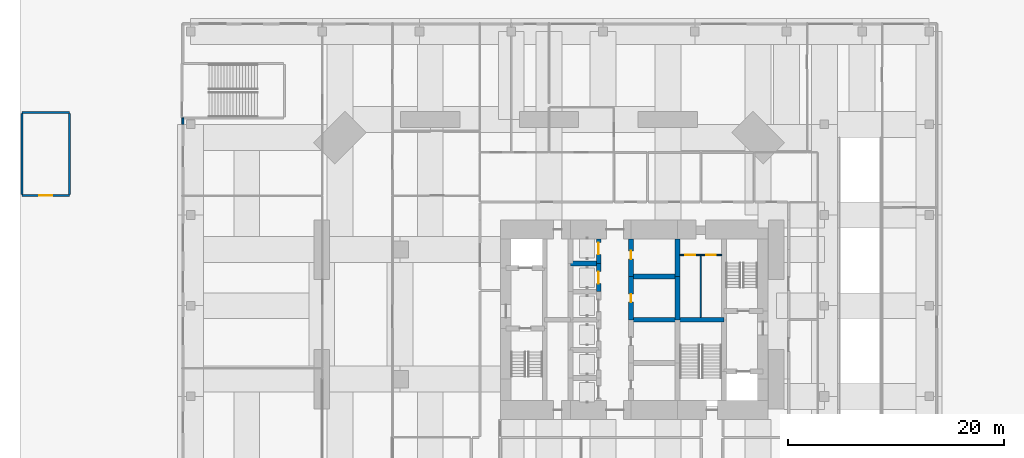
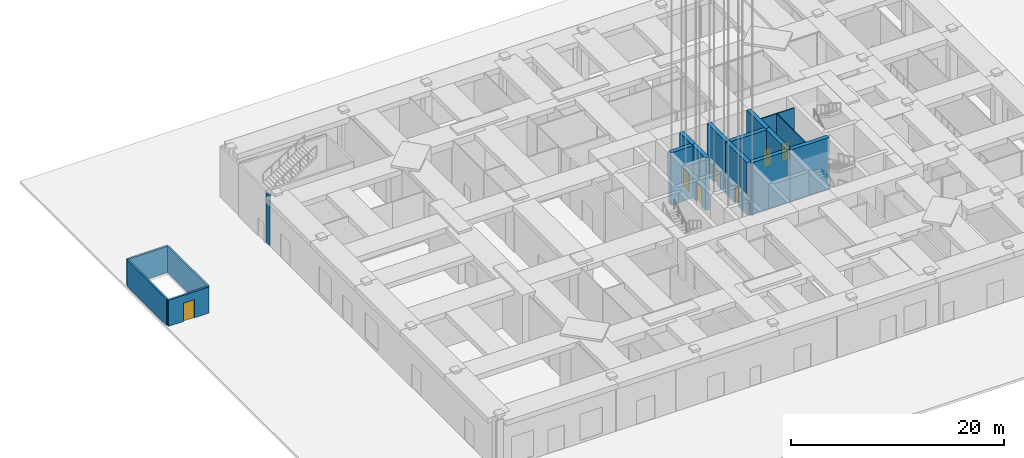
# One storey, part 6 of 17: 17 walls, 7 doors, 7 openings.
"""IFC4 building model written with IfcOpenShell, lengths in metres."""

from ifc_helpers import new_model, si_unit, direction, frame, frame_2d, origin, place, context, subcontext, project, spatial, rectangle, extrude, material, layer, layer_set, constituent, constituent_set, type_object, element, fill, save


model = new_model("IFC4")

# Units and contexts
model_context = context("Model", 3, precision=1e-05, world=origin(), true_north=direction((0.0, 1.0)))
body_context = subcontext(model_context, "Body", "Model", "MODEL_VIEW")
ifc_project = project(units=[si_unit("LENGTHUNIT", "METRE"), si_unit("AREAUNIT", "SQUARE_METRE"), si_unit("VOLUMEUNIT", "CUBIC_METRE"), si_unit("PLANEANGLEUNIT", "RADIAN"), si_unit("MASSUNIT", "GRAM", prefix="KILO")], contexts=[model_context])

# Site, building, storey
site_placement = place(None, origin())
site = spatial("IfcSite", under=ifc_project, at=site_placement, CompositionType="ELEMENT")
building_placement = place(site_placement, origin())
building = spatial("IfcBuilding", under=site, at=building_placement, Name="Jalousie Tower", CompositionType="ELEMENT")
storey_placement = place(building_placement, origin())
storey = spatial("IfcBuildingStorey", under=building, at=storey_placement, Name="L00", CompositionType="ELEMENT", Elevation=0.0)

# Wall, opening, door
ifc_material_1 = material(Name="Concrete f'c 120 MPa", Category="concrete")
ifc_layer = layer(ifc_material_1, 0.449951171875)
ifc_layer_set = layer_set([ifc_layer], Name="Concrete f'c 120 MPa")
wall_type_1 = type_object("IfcWallType", Name="CORE WALL 450", PredefinedType="SHEAR", material=ifc_layer_set)
wall_1_placement = place(storey_placement, frame((28.60009765625, 21.10009765625, 0.0), z_axis=(0.0, 0.0, 1.0), x_axis=(0.0, 1.0, 0.0)))
wall_1 = element("IfcWall", 1, at=wall_1_placement, inside=storey, type_object=wall_type_1, Name="Core wall X28.6E L00", PredefinedType="SHEAR", context=body_context, shape_type="SweptSolid", body=[
    extrude(rectangle(XDim=2.599853515625, YDim=0.449951171875, at=frame_2d((1.2998046875, 0.0))), origin(), (0.0, 0.0, 1.0), 6.0),
])
opening_1_placement = place(wall_1_placement, frame((0.75, 0.0, 0.0)))
opening_1 = element("IfcOpeningElement", 2, at=opening_1_placement, cuts=wall_1, Name="Opening LD1", PredefinedType="OPENING", context=body_context, shape_type="SweptSolid", body=[
    extrude(rectangle(XDim=1.10009765625, YDim=2.10009765625, at=frame_2d((0.550048828125, 1.050048828125))), frame((0.0, 0.23486328125, 0.0), z_axis=(0.0, -1.0, 0.0), x_axis=(1.0, 0.0, 0.0)), (0.0, 0.0, 1.0), 0.469970703125),
])
ifc_material_2 = material(Name="Steel lift landing door", Category="steel")
door_type_1 = type_object("IfcDoorType", Name="LIFT LANDING DOOR 1100", OperationType="SLIDING_TO_LEFT", PredefinedType="DOOR", material=ifc_material_2)
door_1_placement = place(opening_1_placement, origin())
door_1 = element("IfcDoor", 3, at=door_1_placement, inside=storey, type_object=door_type_1, Name="Lift P5 landing door", OperationType="SLIDING_TO_LEFT", OverallHeight=2.10009765625, OverallWidth=1.10009765625, PredefinedType="DOOR", context=body_context, shape_type="SweptSolid", body=[
    extrude(rectangle(XDim=1.10009765625, YDim=2.10009765625, at=frame_2d((0.550048828125, 1.050048828125))), frame((0.0, 0.02490234375, 0.0), z_axis=(0.0, -1.0, 0.0), x_axis=(1.0, 0.0, 0.0)), (0.0, 0.0, 1.0), 0.050048828125),
])
fill(opening_1, door_1)

wall_2_placement = place(storey_placement, frame((28.60009765625, 23.699951171875, 0.0), z_axis=(0.0, 0.0, 1.0), x_axis=(0.0, 1.0, 0.0)))
wall_2 = element("IfcWall", 4, at=wall_2_placement, inside=storey, type_object=wall_type_1, Name="Core wall X28.6F L00", PredefinedType="SHEAR", context=body_context, shape_type="SweptSolid", body=[
    extrude(rectangle(XDim=2.300048828125, YDim=0.449951171875, at=frame_2d((1.14990234375, 0.0))), origin(), (0.0, 0.0, 1.0), 6.0),
])
opening_2_placement = place(wall_2_placement, frame((0.85009765625, 0.0, 0.0)))
opening_2 = element("IfcOpeningElement", 5, at=opening_2_placement, cuts=wall_2, Name="Opening LD1", PredefinedType="OPENING", context=body_context, shape_type="SweptSolid", body=[
    extrude(rectangle(XDim=1.10009765625, YDim=2.10009765625, at=frame_2d((0.550048828125, 1.050048828125))), frame((0.0, 0.23486328125, 0.0), z_axis=(0.0, -1.0, 0.0), x_axis=(1.0, 0.0, 0.0)), (0.0, 0.0, 1.0), 0.469970703125),
])
door_2_placement = place(opening_2_placement, origin())
door_2 = element("IfcDoor", 6, at=door_2_placement, inside=storey, type_object=door_type_1, Name="Lift P6 landing door", OperationType="SLIDING_TO_LEFT", OverallHeight=2.10009765625, OverallWidth=1.10009765625, PredefinedType="DOOR", context=body_context, shape_type="SweptSolid", body=[
    extrude(rectangle(XDim=1.10009765625, YDim=2.10009765625, at=frame_2d((0.550048828125, 1.050048828125))), frame((0.0, 0.02490234375, 0.0), z_axis=(0.0, -1.0, 0.0), x_axis=(1.0, 0.0, 0.0)), (0.0, 0.0, 1.0), 0.050048828125),
])
fill(opening_2, door_2)

wall_3_placement = place(storey_placement, frame((31.60009765625, 18.5, 0.0), z_axis=(0.0, 0.0, 1.0), x_axis=(0.0, 1.0, 0.0)))
wall_3 = element("IfcWall", 7, at=wall_3_placement, inside=storey, type_object=wall_type_1, Name="Core wall X31.6C L00", PredefinedType="SHEAR", context=body_context, shape_type="SweptSolid", body=[
    extrude(rectangle(XDim=4.0, YDim=0.449951171875, at=frame_2d((2.0, 0.0))), origin(), (0.0, 0.0, 1.0), 6.0),
])
opening_3_placement = place(wall_3_placement, frame((1.625, 0.0, 0.0)))
opening_3 = element("IfcOpeningElement", 8, at=opening_3_placement, cuts=wall_3, Name="Opening D16", PredefinedType="OPENING", context=body_context, shape_type="SweptSolid", body=[
    extrude(rectangle(XDim=0.75, YDim=2.10009765625, at=frame_2d((0.375, 1.050048828125))), frame((0.0, 0.23486328125, 0.0), z_axis=(0.0, -1.0, 0.0), x_axis=(1.0, 0.0, 0.0)), (0.0, 0.0, 1.0), 0.469970703125),
])
ifc_material_3 = material(Name="Steel fire door", Category="steel")
door_type_2 = type_object("IfcDoorType", Name="RISER DOOR 750", OperationType="SINGLE_SWING_LEFT", PredefinedType="DOOR", material=ifc_material_3)
door_3_placement = place(opening_3_placement, frame((0.75, 0.0, 0.0), z_axis=(0.0, 0.0, 1.0), x_axis=(-1.0, 0.0, 0.0)))
door_3 = element("IfcDoor", 9, at=door_3_placement, inside=storey, type_object=door_type_2, Name="Telecom Room door", OperationType="SINGLE_SWING_RIGHT", OverallHeight=2.10009765625, OverallWidth=0.75, PredefinedType="DOOR", context=body_context, shape_type="SweptSolid", body=[
    extrude(rectangle(XDim=0.75, YDim=2.10009765625, at=frame_2d((0.375, 1.050048828125))), frame((0.0, 0.02490234375, 0.0), z_axis=(0.0, -1.0, 0.0), x_axis=(1.0, 0.0, 0.0)), (0.0, 0.0, 1.0), 0.050048828125),
])
fill(opening_3, door_3)

wall_4_placement = place(storey_placement, frame((31.60009765625, 22.5, 0.0), z_axis=(0.0, 0.0, 1.0), x_axis=(0.0, 1.0, 0.0)))
wall_4 = element("IfcWall", 10, at=wall_4_placement, inside=storey, type_object=wall_type_1, Name="Core wall X31.6D L00", PredefinedType="SHEAR", context=body_context, shape_type="SweptSolid", body=[
    extrude(rectangle(XDim=3.5, YDim=0.449951171875, at=frame_2d((1.75, 0.0))), origin(), (0.0, 0.0, 1.0), 6.0),
])
opening_4_placement = place(wall_4_placement, frame((1.625, 0.0, 0.0)))
opening_4 = element("IfcOpeningElement", 11, at=opening_4_placement, cuts=wall_4, Name="Opening D16", PredefinedType="OPENING", context=body_context, shape_type="SweptSolid", body=[
    extrude(rectangle(XDim=0.75, YDim=2.10009765625, at=frame_2d((0.375, 1.050048828125))), frame((0.0, 0.23486328125, 0.0), z_axis=(0.0, -1.0, 0.0), x_axis=(1.0, 0.0, 0.0)), (0.0, 0.0, 1.0), 0.469970703125),
])
door_4_placement = place(opening_4_placement, frame((0.75, 0.0, 0.0), z_axis=(0.0, 0.0, 1.0), x_axis=(-1.0, 0.0, 0.0)))
door_4 = element("IfcDoor", 12, at=door_4_placement, inside=storey, type_object=door_type_2, Name="Water Services Room door", OperationType="SINGLE_SWING_LEFT", OverallHeight=2.10009765625, OverallWidth=0.75, PredefinedType="DOOR", context=body_context, shape_type="SweptSolid", body=[
    extrude(rectangle(XDim=0.75, YDim=2.10009765625, at=frame_2d((0.375, 1.050048828125))), frame((0.0, 0.02490234375, 0.0), z_axis=(0.0, -1.0, 0.0), x_axis=(1.0, 0.0, 0.0)), (0.0, 0.0, 1.0), 0.050048828125),
])
fill(opening_4, door_4)

# Walls
wall_5_placement = place(storey_placement, frame((35.89990234375, 18.5, 0.0), z_axis=(0.0, 0.0, 1.0), x_axis=(0.0, 1.0, 0.0)))
element("IfcWall", 13, at=wall_5_placement, inside=storey, type_object=wall_type_1, Name="Core wall X35.9C L00", PredefinedType="SHEAR", context=body_context, shape_type="SweptSolid", body=[
    extrude(rectangle(XDim=4.0, YDim=0.449951171875, at=frame_2d((2.0, 0.0))), origin(), (0.0, 0.0, 1.0), 6.0),
])
wall_6_placement = place(storey_placement, frame((35.89990234375, 22.5, 0.0), z_axis=(0.0, 0.0, 1.0), x_axis=(0.0, 1.0, 0.0)))
element("IfcWall", 14, at=wall_6_placement, inside=storey, type_object=wall_type_1, Name="Core wall X35.9D L00", PredefinedType="SHEAR", context=body_context, shape_type="SweptSolid", body=[
    extrude(rectangle(XDim=3.5, YDim=0.449951171875, at=frame_2d((1.75, 0.0))), origin(), (0.0, 0.0, 1.0), 6.0),
])
wall_7_placement = place(storey_placement, frame((26.0, 23.699951171875, 0.0), z_axis=(0.0, 0.0, 1.0), x_axis=(1.0, 0.0, 0.0)))
element("IfcWall", 15, at=wall_7_placement, inside=storey, type_object=wall_type_1, Name="Core wall Y26-23.7 L00", PredefinedType="SHEAR", context=body_context, shape_type="SweptSolid", body=[
    extrude(rectangle(XDim=2.60009765625, YDim=0.449951171875, at=frame_2d((1.300048828125, 0.0))), origin(), (0.0, 0.0, 1.0), 6.0),
])
for number, where, z_axis, x_axis, name in (
    (16, (31.60009765625, 18.5, 0.0), (0.0, 0.0, 1.0), (1.0, 0.0, 0.0), "Core wall Y31.6-18.5 L00"),
    (17, (31.60009765625, 22.5, 0.0), (0.0, 0.0, 1.0), (1.0, 0.0, 0.0), "Core wall Y31.6-22.5 L00"),
):
    element("IfcWall", number, at=place(storey_placement, frame(where, z_axis=z_axis, x_axis=x_axis)), inside=storey, type_object=wall_type_1, Name=name, PredefinedType="SHEAR", context=body_context, shape_type="SweptSolid", body=[
        extrude(rectangle(XDim=4.2998046875, YDim=0.449951171875, at=frame_2d((2.14990234375, 0.0))), origin(), (0.0, 0.0, 1.0), 6.0),
    ])
wall_8_placement = place(storey_placement, frame((35.89990234375, 18.5, 0.0), z_axis=(0.0, 0.0, 1.0), x_axis=(1.0, 0.0, 0.0)))
element("IfcWall", 18, at=wall_8_placement, inside=storey, type_object=wall_type_1, Name="Core wall Y35.9-18.5 L00", PredefinedType="SHEAR", context=body_context, shape_type="SweptSolid", body=[
    extrude(rectangle(XDim=4.300048828125, YDim=0.449951171875, at=frame_2d((2.14990234375, 0.0))), origin(), (0.0, 0.0, 1.0), 6.0),
])
ifc_material_4 = material(Name="Concrete f'c 40 MPa", Category="concrete")
ifc_constituent_1 = constituent(ifc_material_4, Name="Body")
ifc_material_5 = material(Name="Render, pastel coral")
ifc_constituent_2 = constituent(ifc_material_5, Name="Finish")
ifc_constituent_set_1 = constituent_set(constituents=[ifc_constituent_1, ifc_constituent_2])
wall_type_2 = type_object("IfcWallType", Name="EXTERNAL WALL 175 CORAL RENDER", PredefinedType="SOLIDWALL", material=ifc_constituent_set_1)
wall_9_placement = place(storey_placement, frame((-9.91259765625, 37.199951171875, 0.0), z_axis=(0.0, 0.0, 1.0), x_axis=(0.0, -1.0, 0.0)))
element("IfcWall", 19, at=wall_9_placement, inside=storey, type_object=wall_type_2, Name="External Wall 175 Coral Render L00-A", PredefinedType="SOLIDWALL", context=body_context, shape_type="SweptSolid", body=[
    extrude(rectangle(XDim=0.599853515625, YDim=0.175048828125, at=frame_2d((0.2998046875, 0.0))), origin(), (0.0, 0.0, 1.0), 5.719970703125),
])

# Wall, openings, doors
ifc_material_6 = material(Name="Gypsum board", Category="gypsum")
ifc_constituent_3 = constituent(ifc_material_6, Name="Body")
ifc_material_7 = material(Name="Light-gauge steel studs ASTM A653 SS Grade 33", Category="steel")
ifc_constituent_4 = constituent(ifc_material_7, Name="Framing")
ifc_constituent_set_2 = constituent_set(constituents=[ifc_constituent_3, ifc_constituent_4])
wall_type_3 = type_object("IfcWallType", Name="PARTITION 100", PredefinedType="PARTITIONING", material=ifc_constituent_set_2)
wall_10_placement = place(storey_placement, frame((36.125, 24.5, 0.0), z_axis=(0.0, 0.0, 1.0), x_axis=(1.0, 0.0, 0.0)))
wall_10 = element("IfcWall", 20, at=wall_10_placement, inside=storey, type_object=wall_type_3, Name="Partition 100 L00", PredefinedType="PARTITIONING", context=body_context, shape_type="SweptSolid", body=[
    extrude(rectangle(XDim=3.85009765625, YDim=0.10009765625, at=frame_2d((1.925048828125, 0.0))), origin(), (0.0, 0.0, 1.0), 5.719970703125),
])
opening_5_placement = place(wall_10_placement, frame((0.512451171875, 0.0, 0.0)))
opening_5 = element("IfcOpeningElement", 21, at=opening_5_placement, cuts=wall_10, Name="Opening D7", PredefinedType="OPENING", context=body_context, shape_type="SweptSolid", body=[
    extrude(rectangle(XDim=0.89990234375, YDim=2.10009765625, at=frame_2d((0.449951171875, 1.050048828125))), frame((0.0, 0.06005859375, 0.0), z_axis=(0.0, -1.0, 0.0), x_axis=(1.0, 0.0, 0.0)), (0.0, 0.0, 1.0), 0.1201171875),
])
opening_6_placement = place(wall_10_placement, frame((2.4375, 0.0, 0.0)))
opening_6 = element("IfcOpeningElement", 22, at=opening_6_placement, cuts=wall_10, Name="Opening D7", PredefinedType="OPENING", context=body_context, shape_type="SweptSolid", body=[
    extrude(rectangle(XDim=0.89990234375, YDim=2.10009765625, at=frame_2d((0.449951171875, 1.050048828125))), frame((0.0, 0.06005859375, 0.0), z_axis=(0.0, -1.0, 0.0), x_axis=(1.0, 0.0, 0.0)), (0.0, 0.0, 1.0), 0.1201171875),
])
ifc_material_8 = material(Name="Timber door", Category="wood")
door_type_3 = type_object("IfcDoorType", Name="INTERNAL DOOR 900", OperationType="SINGLE_SWING_LEFT", PredefinedType="DOOR", material=ifc_material_8)
door_5_placement = place(opening_5_placement, frame((0.89990234375, 0.0, 0.0), z_axis=(0.0, 0.0, 1.0), x_axis=(-1.0, 0.0, 0.0)))
door_5 = element("IfcDoor", 23, at=door_5_placement, inside=storey, type_object=door_type_3, Name="Cleaner's store door", OperationType="SINGLE_SWING_LEFT", OverallHeight=2.10009765625, OverallWidth=0.89990234375, PredefinedType="DOOR", context=body_context, shape_type="SweptSolid", body=[
    extrude(rectangle(XDim=0.89990234375, YDim=2.10009765625, at=frame_2d((0.449951171875, 1.050048828125))), frame((0.0, 0.02490234375, 0.0), z_axis=(0.0, -1.0, 0.0), x_axis=(1.0, 0.0, 0.0)), (0.0, 0.0, 1.0), 0.050048828125),
])
fill(opening_5, door_5)
door_6_placement = place(opening_6_placement, frame((0.89990234375, 0.0, 0.0), z_axis=(0.0, 0.0, 1.0), x_axis=(-1.0, 0.0, 0.0)))
door_6 = element("IfcDoor", 24, at=door_6_placement, inside=storey, type_object=door_type_3, Name="Linen store door", OperationType="SINGLE_SWING_RIGHT", OverallHeight=2.10009765625, OverallWidth=0.89990234375, PredefinedType="DOOR", context=body_context, shape_type="SweptSolid", body=[
    extrude(rectangle(XDim=0.89990234375, YDim=2.10009765625, at=frame_2d((0.449951171875, 1.050048828125))), frame((0.0, 0.02490234375, 0.0), z_axis=(0.0, -1.0, 0.0), x_axis=(1.0, 0.0, 0.0)), (0.0, 0.0, 1.0), 0.050048828125),
])
fill(opening_6, door_6)

# Wall
wall_11_placement = place(storey_placement, frame((38.050048828125, 18.72509765625, 0.0), z_axis=(0.0, 0.0, 1.0), x_axis=(0.0, 1.0, 0.0)))
element("IfcWall", 25, at=wall_11_placement, inside=storey, type_object=wall_type_3, Name="Partition 100 L00", PredefinedType="PARTITIONING", context=body_context, shape_type="SweptSolid", body=[
    extrude(rectangle(XDim=5.724853515625, YDim=0.10009765625, at=frame_2d((2.8623046875, 0.0))), origin(), (0.0, 0.0, 1.0), 5.719970703125),
])

# Wall, opening, door
ifc_material_9 = material(Name="Concrete block ASTM C90", Category="concrete")
ifc_constituent_5 = constituent(ifc_material_9, Name="Body")
ifc_material_10 = material(Name="Render")
ifc_constituent_6 = constituent(ifc_material_10, Name="Finish")
ifc_constituent_set_3 = constituent_set(constituents=[ifc_constituent_5, ifc_constituent_6])
wall_type_4 = type_object("IfcWallType", Name="STAIR WALL 200", PredefinedType="SOLIDWALL", material=ifc_constituent_set_3)
wall_12_placement = place(storey_placement, frame((-24.800048828125, 30.0, 0.0), z_axis=(0.0, 0.0, 1.0), x_axis=(1.0, 0.0, 0.0)))
wall_12 = element("IfcWall", 26, at=wall_12_placement, inside=storey, type_object=wall_type_4, Name="Stair BS1 head house wall S", PredefinedType="SOLIDWALL", context=body_context, shape_type="SweptSolid", body=[
    extrude(rectangle(XDim=4.400146484375, YDim=0.199951171875, at=frame_2d((2.2001953125, 0.0))), origin(), (0.0, 0.0, 1.0), 3.0),
])
opening_7_placement = place(wall_12_placement, frame((1.60009765625, 0.0, 0.0)))
opening_7 = element("IfcOpeningElement", 27, at=opening_7_placement, cuts=wall_12, Name="Opening D-EXT", PredefinedType="OPENING", context=body_context, shape_type="SweptSolid", body=[
    extrude(rectangle(XDim=1.199951171875, YDim=2.10009765625, at=frame_2d((0.60009765625, 1.050048828125))), frame((0.0, 0.10986328125, 0.0), z_axis=(0.0, -1.0, 0.0), x_axis=(1.0, 0.0, 0.0)), (0.0, 0.0, 1.0), 0.219970703125),
])
ifc_material_11 = material(Name="Steel door, 90 minute", Category="steel")
door_type_4 = type_object("IfcDoorType", Name="STAIR EXIT DOOR 1200x2100", OperationType="SINGLE_SWING_LEFT", PredefinedType="DOOR", material=ifc_material_11)
door_7_placement = place(opening_7_placement, frame((1.199951171875, 0.0, 0.0), z_axis=(0.0, 0.0, 1.0), x_axis=(-1.0, 0.0, 0.0)))
door_7 = element("IfcDoor", 28, at=door_7_placement, inside=storey, type_object=door_type_4, Name="Stair BS1 exit door", OperationType="SINGLE_SWING_RIGHT", OverallHeight=2.10009765625, OverallWidth=1.199951171875, PredefinedType="DOOR", context=body_context, shape_type="SweptSolid", body=[
    extrude(rectangle(XDim=1.199951171875, YDim=2.10009765625, at=frame_2d((0.60009765625, 1.050048828125))), frame((0.0, 0.02490234375, 0.0), z_axis=(0.0, -1.0, 0.0), x_axis=(1.0, 0.0, 0.0)), (0.0, 0.0, 1.0), 0.050048828125),
])
fill(opening_7, door_7)

# Walls
wall_13_placement = place(storey_placement, frame((-20.39990234375, 30.10009765625, 0.0), z_axis=(0.0, 0.0, 1.0), x_axis=(0.0, 1.0, 0.0)))
element("IfcWall", 29, at=wall_13_placement, inside=storey, type_object=wall_type_4, Name="Stair BS1 head house wall E", PredefinedType="SOLIDWALL", context=body_context, shape_type="SweptSolid", body=[
    extrude(rectangle(XDim=7.5, YDim=0.199951171875, at=frame_2d((3.75, 0.0))), origin(), (0.0, 0.0, 1.0), 3.0),
])
wall_14_placement = place(storey_placement, frame((-20.39990234375, 37.699951171875, 0.0), z_axis=(0.0, 0.0, 1.0), x_axis=(-1.0, 0.0, 0.0)))
element("IfcWall", 30, at=wall_14_placement, inside=storey, type_object=wall_type_4, Name="Stair BS1 head house wall N", PredefinedType="SOLIDWALL", context=body_context, shape_type="SweptSolid", body=[
    extrude(rectangle(XDim=4.400146484375, YDim=0.199951171875, at=frame_2d((2.2001953125, 0.0))), origin(), (0.0, 0.0, 1.0), 3.0),
])
wall_15_placement = place(storey_placement, frame((-24.800048828125, 37.60009765625, 0.0), z_axis=(0.0, 0.0, 1.0), x_axis=(0.0, -1.0, 0.0)))
element("IfcWall", 31, at=wall_15_placement, inside=storey, type_object=wall_type_4, Name="Stair BS1 head house wall W", PredefinedType="SOLIDWALL", context=body_context, shape_type="SweptSolid", body=[
    extrude(rectangle(XDim=7.5, YDim=0.199951171875, at=frame_2d((3.75, 0.0))), origin(), (0.0, 0.0, 1.0), 3.0),
])

save(model, "model.ifc")
